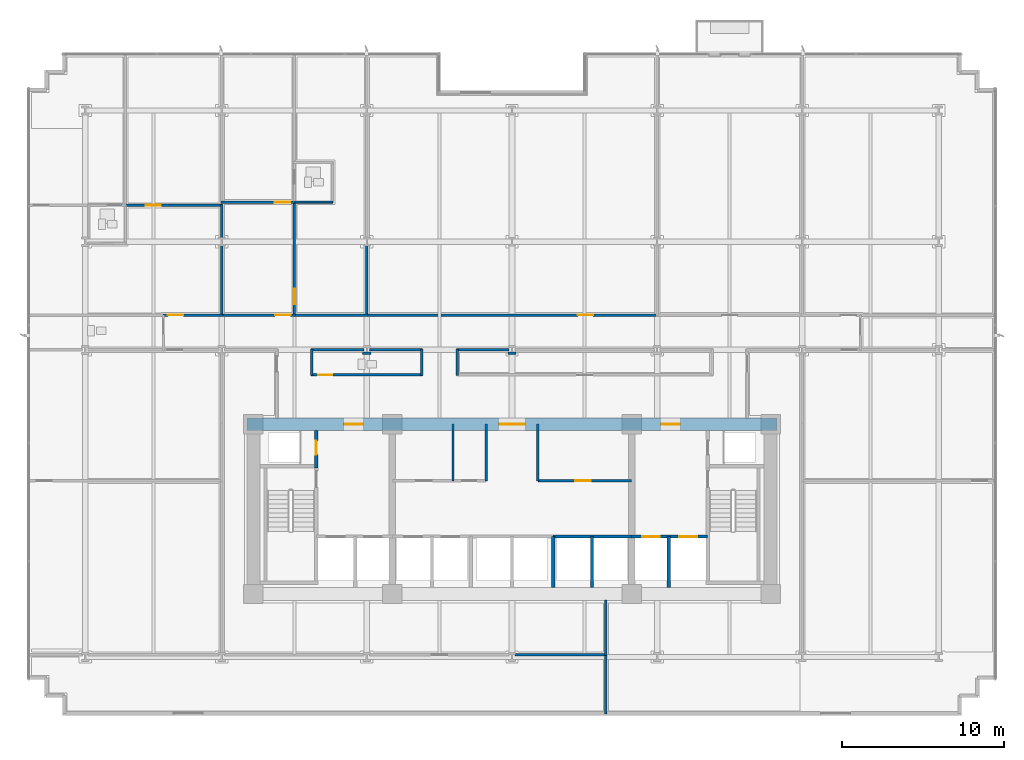
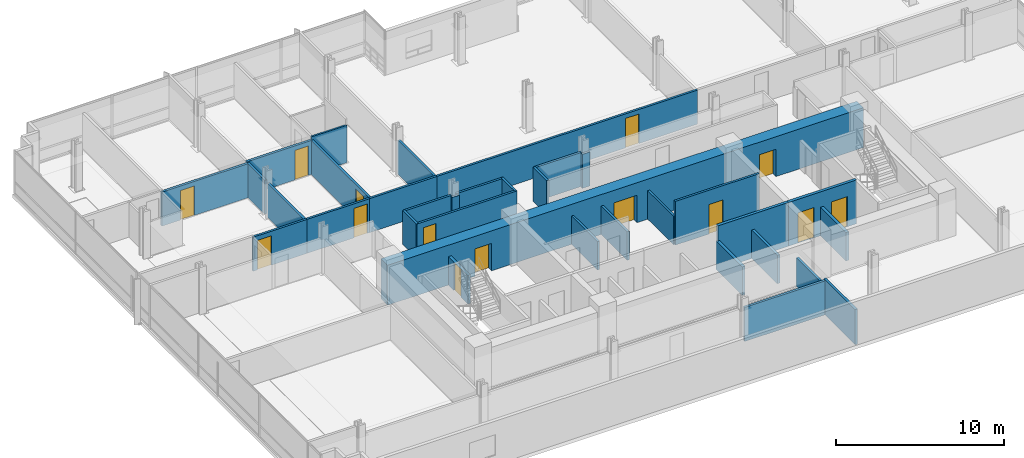
# One storey, part 13 of 21: 34 walls, 14 doors, 14 openings.
"""IFC4 building model written with IfcOpenShell, lengths in metres."""

from ifc_helpers import new_model, si_unit, direction, frame, frame_2d, origin, place, context, subcontext, project, spatial, rectangle, extrude, material, layer, layer_set, type_object, element, fill, save


model = new_model("IFC4")

# Units and contexts
model_context = context("Model", 3, precision=1e-05, world=origin(), true_north=direction((0.0, 1.0)))
body_context = subcontext(model_context, "Body", "Model", "MODEL_VIEW")
ifc_project = project(units=[si_unit("LENGTHUNIT", "METRE"), si_unit("AREAUNIT", "SQUARE_METRE"), si_unit("VOLUMEUNIT", "CUBIC_METRE"), si_unit("PLANEANGLEUNIT", "RADIAN"), si_unit("MASSUNIT", "GRAM", prefix="KILO")], contexts=[model_context])

# Site, building, storey
site_placement = place(None, origin())
site = spatial("IfcSite", under=ifc_project, at=site_placement, CompositionType="ELEMENT")
building_placement = place(site_placement, origin())
building = spatial("IfcBuilding", under=site, at=building_placement, Name="Solmavex Isthmus Hotel", CompositionType="ELEMENT")
storey_placement = place(building_placement, frame((0.0, 0.0, 60.89990234375)))
storey = spatial("IfcBuildingStorey", under=building, at=storey_placement, Name="L16", CompositionType="ELEMENT", Elevation=60.89990234375)

# Wall, opening, door
ifc_material_1 = material(Name="Gypsum plasterboard lining", Category="gypsum")
ifc_layer_1 = layer(ifc_material_1, 0.159912109375)
ifc_layer_set_1 = layer_set([ifc_layer_1], Name="Gypsum plasterboard lining")
wall_type_1 = type_object("IfcWallType", Name="IW-COMP-160", PredefinedType="PARTITIONING", material=ifc_layer_set_1)
wall_1_placement = place(storey_placement, frame((-23.9560546875, 11.0380859375, 0.0), z_axis=(0.0, 0.0, 1.0), x_axis=(1.0, 0.0, 0.0)))
wall_1 = element("IfcWall", 1, at=wall_1_placement, inside=storey, type_object=wall_type_1, Name="Interior Partition Wall W-L16-P030", PredefinedType="PARTITIONING", context=body_context, shape_type="SweptSolid", body=[
    extrude(rectangle(XDim=6.0439453125, YDim=0.159912109375, at=frame_2d((3.02197265625, 0.0))), origin(), (0.0, 0.0, 1.0), 2.4794921875),
])
opening_1_placement = place(wall_1_placement, frame((1.294677734375, 0.0, 0.0)))
opening_1 = element("IfcOpeningElement", 2, at=opening_1_placement, cuts=wall_1, Name="Opening ID-C095", PredefinedType="OPENING", context=body_context, shape_type="SweptSolid", body=[
    extrude(rectangle(XDim=0.949951171875, YDim=2.14990234375, at=frame_2d((0.47509765625, 1.074951171875))), frame((0.0, 0.08984375, 0.0), z_axis=(0.0, -1.0, 0.0), x_axis=(1.0, 0.0, 0.0)), (0.0, 0.0, 1.0), 0.179931640625),
])
ifc_material_2 = material(Name="Hardwood timber", Category="wood")
door_type_1 = type_object("IfcDoorType", Name="IDR-FD60-0950", OperationType="NOTDEFINED", PredefinedType="DOOR", material=ifc_material_2)
door_1_placement = place(opening_1_placement, origin())
door_1 = element("IfcDoor", 3, at=door_1_placement, inside=storey, type_object=door_type_1, Name="Ambassador Panorama Suite Panorama Sitting Study Door L16-03", OperationType="SINGLE_SWING_LEFT", OverallHeight=2.14990234375, OverallWidth=0.949951171875, PredefinedType="DOOR", context=body_context, shape_type="SweptSolid", body=[
    extrude(rectangle(XDim=0.949951171875, YDim=2.14990234375, at=frame_2d((0.47509765625, 1.074951171875))), frame((0.0, 0.02490234375, 0.0), z_axis=(0.0, -1.0, 0.0), x_axis=(1.0, 0.0, 0.0)), (0.0, 0.0, 1.0), 0.050048828125),
])
fill(opening_1, door_1)

# Walls
wall_2_placement = place(storey_placement, frame((-17.951904296875, 8.613037109375, 0.0), z_axis=(0.0, 0.0, 1.0), x_axis=(0.0, -1.0, 0.0)))
element("IfcWall", 4, at=wall_2_placement, inside=storey, type_object=wall_type_1, Name="Interior Partition Wall W-L16-P034", PredefinedType="PARTITIONING", context=body_context, shape_type="SweptSolid", body=[
    extrude(rectangle(XDim=4.403076171875, YDim=0.159912109375, at=frame_2d((2.20166015625, 0.0))), origin(), (0.0, 0.0, 1.0), 2.4794921875),
])
wall_3_placement = place(storey_placement, frame((-17.951904296875, 11.077880859375, 0.0), z_axis=(0.0, 0.0, 1.0), x_axis=(0.0, -1.0, 0.0)))
element("IfcWall", 5, at=wall_3_placement, inside=storey, type_object=wall_type_1, Name="Interior Partition Wall W-L16-P035", PredefinedType="PARTITIONING", context=body_context, shape_type="SweptSolid", body=[
    extrude(rectangle(XDim=2.114990234375, YDim=0.159912109375, at=frame_2d((1.0576171875, 0.0))), origin(), (0.0, 0.0, 1.0), 2.4794921875),
])

# Wall, opening, door
wall_4_placement = place(storey_placement, frame((-17.991943359375, 11.238037109375, 0.0), z_axis=(0.0, 0.0, 1.0), x_axis=(1.0, 0.0, 0.0)))
wall_4 = element("IfcWall", 6, at=wall_4_placement, inside=storey, type_object=wall_type_1, Name="Interior Partition Wall W-L16-P041", PredefinedType="PARTITIONING", context=body_context, shape_type="SweptSolid", body=[
    extrude(rectangle(XDim=4.56787109375, YDim=0.159912109375, at=frame_2d((2.283935546875, 0.0))), origin(), (0.0, 0.0, 1.0), 2.4794921875),
])
opening_2_placement = place(wall_4_placement, frame((3.31689453125, 0.0, 0.0)))
opening_2 = element("IfcOpeningElement", 7, at=opening_2_placement, cuts=wall_4, Name="Opening ID-C095", PredefinedType="OPENING", context=body_context, shape_type="SweptSolid", body=[
    extrude(rectangle(XDim=0.949951171875, YDim=2.14990234375, at=frame_2d((0.47509765625, 1.074951171875))), frame((0.0, 0.08984375, 0.0), z_axis=(0.0, -1.0, 0.0), x_axis=(1.0, 0.0, 0.0)), (0.0, 0.0, 1.0), 0.179931640625),
])
door_2_placement = place(opening_2_placement, origin())
door_2 = element("IfcDoor", 8, at=door_2_placement, inside=storey, type_object=door_type_1, Name="Premier Hospitality Suite Master Bedroom Door L16-06", OperationType="SINGLE_SWING_RIGHT", OverallHeight=2.14990234375, OverallWidth=0.949951171875, PredefinedType="DOOR", context=body_context, shape_type="SweptSolid", body=[
    extrude(rectangle(XDim=0.949951171875, YDim=2.14990234375, at=frame_2d((0.47509765625, 1.074951171875))), frame((0.0, 0.02490234375, 0.0), z_axis=(0.0, -1.0, 0.0), x_axis=(1.0, 0.0, 0.0)), (0.0, 0.0, 1.0), 0.050048828125),
])
fill(opening_2, door_2)

wall_5_placement = place(storey_placement, frame((-13.464111328125, 11.278076171875, 0.0), z_axis=(0.0, 0.0, 1.0), x_axis=(0.0, -1.0, 0.0)))
wall_5 = element("IfcWall", 9, at=wall_5_placement, inside=storey, type_object=wall_type_1, Name="Interior Partition Wall W-L16-P042", PredefinedType="PARTITIONING", context=body_context, shape_type="SweptSolid", body=[
    extrude(rectangle(XDim=7.068115234375, YDim=0.159912109375, at=frame_2d((3.5341796875, 0.0))), origin(), (0.0, 0.0, 1.0), 2.4794921875),
])
opening_3_placement = place(wall_5_placement, frame((5.406982421875, 0.0, 0.0)))
opening_3 = element("IfcOpeningElement", 10, at=opening_3_placement, cuts=wall_5, Name="Opening ID-C095", PredefinedType="OPENING", context=body_context, shape_type="SweptSolid", body=[
    extrude(rectangle(XDim=0.949951171875, YDim=2.14990234375, at=frame_2d((0.47509765625, 1.074951171875))), frame((0.0, 0.08984375, 0.0), z_axis=(0.0, -1.0, 0.0), x_axis=(1.0, 0.0, 0.0)), (0.0, 0.0, 1.0), 0.179931640625),
])
door_3_placement = place(opening_3_placement, frame((0.949951171875, 0.0, 0.0), z_axis=(0.0, 0.0, 1.0), x_axis=(-1.0, 0.0, 0.0)))
door_3 = element("IfcDoor", 11, at=door_3_placement, inside=storey, type_object=door_type_1, Name="Premier Hospitality Suite Living Lounge Door L16-07", OperationType="SINGLE_SWING_LEFT", OverallHeight=2.14990234375, OverallWidth=0.949951171875, PredefinedType="DOOR", context=body_context, shape_type="SweptSolid", body=[
    extrude(rectangle(XDim=0.949951171875, YDim=2.14990234375, at=frame_2d((0.47509765625, 1.074951171875))), frame((0.0, 0.02490234375, 0.0), z_axis=(0.0, -1.0, 0.0), x_axis=(1.0, 0.0, 0.0)), (0.0, 0.0, 1.0), 0.050048828125),
])
fill(opening_3, door_3)

# Walls
wall_6_placement = place(storey_placement, frame((-8.97607421875, 8.613037109375, 0.0), z_axis=(0.0, 0.0, 1.0), x_axis=(0.0, -1.0, 0.0)))
element("IfcWall", 12, at=wall_6_placement, inside=storey, type_object=wall_type_1, Name="Interior Partition Wall W-L16-P048", PredefinedType="PARTITIONING", context=body_context, shape_type="SweptSolid", body=[
    extrude(rectangle(XDim=4.403076171875, YDim=0.159912109375, at=frame_2d((2.20166015625, 0.0))), origin(), (0.0, 0.0, 1.0), 2.4794921875),
])
wall_7_placement = place(storey_placement, frame((5.800048828125, -13.360107421875, 0.0), z_axis=(0.0, 0.0, 1.0), x_axis=(0.0, -1.0, 0.0)))
element("IfcWall", 13, at=wall_7_placement, inside=storey, type_object=wall_type_1, Name="Interior Partition Wall W-L16-P068", PredefinedType="PARTITIONING", context=body_context, shape_type="SweptSolid", body=[
    extrude(rectangle(XDim=3.429931640625, YDim=0.159912109375, at=frame_2d((1.71484375, 0.0))), origin(), (0.0, 0.0, 1.0), 2.0751953125),
])
wall_8_placement = place(storey_placement, frame((5.840087890625, -16.75, 0.0), z_axis=(0.0, 0.0, 1.0), x_axis=(-1.0, 0.0, 0.0)))
element("IfcWall", 14, at=wall_8_placement, inside=storey, type_object=wall_type_1, Name="Interior Partition Wall W-L16-P071", PredefinedType="PARTITIONING", context=body_context, shape_type="SweptSolid", body=[
    extrude(rectangle(XDim=5.6650390625, YDim=0.159912109375, at=frame_2d((2.83251953125, 0.0))), origin(), (0.0, 0.0, 1.0), 2.4794921875),
])
wall_9_placement = place(storey_placement, frame((5.800048828125, -20.419921875, 0.0), z_axis=(0.0, 0.0, 1.0), x_axis=(0.0, 1.0, 0.0)))
element("IfcWall", 15, at=wall_9_placement, inside=storey, type_object=wall_type_1, Name="Interior Partition Wall W-L16-P073", PredefinedType="PARTITIONING", context=body_context, shape_type="SweptSolid", body=[
    extrude(rectangle(XDim=3.751953125, YDim=0.159912109375, at=frame_2d((1.8759765625, 0.0))), origin(), (0.0, 0.0, 1.0), 2.55322265625),
])
ifc_layer_2 = layer(ifc_material_1, 0.14990234375)
ifc_layer_set_2 = layer_set([ifc_layer_2], Name="Gypsum plasterboard lining")
wall_type_2 = type_object("IfcWallType", Name="IW-CORR-150", PredefinedType="PARTITIONING", material=ifc_layer_set_2)
wall_10_placement = place(storey_placement, frame((-1.60009765625, -6.0, 0.0), z_axis=(0.0, 0.0, 1.0), x_axis=(0.0, 1.0, 0.0)))
element("IfcWall", 16, at=wall_10_placement, inside=storey, type_object=wall_type_2, Name="Interior Partition Wall W-L16-BOH-WE", PredefinedType="PARTITIONING", context=body_context, shape_type="SweptSolid", body=[
    extrude(rectangle(XDim=3.5, YDim=0.14990234375, at=frame_2d((1.75, 0.0))), origin(), (0.0, 0.0, 1.0), 2.0751953125),
])

# Wall, opening, door
wall_11_placement = place(storey_placement, frame((1.60009765625, -6.0, 0.0), z_axis=(0.0, 0.0, 1.0), x_axis=(1.0, 0.0, 0.0)))
wall_11 = element("IfcWall", 17, at=wall_11_placement, inside=storey, type_object=wall_type_2, Name="Interior Partition Wall W-L16-BOH-ES", PredefinedType="PARTITIONING", context=body_context, shape_type="SweptSolid", body=[
    extrude(rectangle(XDim=5.7998046875, YDim=0.14990234375, at=frame_2d((2.89990234375, 0.0))), origin(), (0.0, 0.0, 1.0), 3.190185546875),
])
opening_4_placement = place(wall_11_placement, frame((2.324951171875, 0.0, 0.0)))
opening_4 = element("IfcOpeningElement", 18, at=opening_4_placement, cuts=wall_11, Name="Opening ID-C095", PredefinedType="OPENING", context=body_context, shape_type="SweptSolid", body=[
    extrude(rectangle(XDim=0.949951171875, YDim=2.14990234375, at=frame_2d((0.47509765625, 1.074951171875))), frame((0.0, 0.0849609375, 0.0), z_axis=(0.0, -1.0, 0.0), x_axis=(1.0, 0.0, 0.0)), (0.0, 0.0, 1.0), 0.169921875),
])
door_4_placement = place(opening_4_placement, frame((0.949951171875, 0.0, 0.0), z_axis=(0.0, 0.0, 1.0), x_axis=(-1.0, 0.0, 0.0)))
door_4 = element("IfcDoor", 19, at=door_4_placement, inside=storey, type_object=door_type_1, Name="Butler Pantry Door L16", OperationType="SINGLE_SWING_RIGHT", OverallHeight=2.14990234375, OverallWidth=0.949951171875, PredefinedType="DOOR", context=body_context, shape_type="SweptSolid", body=[
    extrude(rectangle(XDim=0.949951171875, YDim=2.14990234375, at=frame_2d((0.47509765625, 1.074951171875))), frame((0.0, 0.02490234375, 0.0), z_axis=(0.0, -1.0, 0.0), x_axis=(1.0, 0.0, 0.0)), (0.0, 0.0, 1.0), 0.050048828125),
])
fill(opening_4, door_4)

# Wall
wall_12_placement = place(storey_placement, frame((1.60009765625, -6.0, 0.0), z_axis=(0.0, 0.0, 1.0), x_axis=(0.0, 1.0, 0.0)))
element("IfcWall", 20, at=wall_12_placement, inside=storey, type_object=wall_type_2, Name="Interior Partition Wall W-L16-BOH-EW", PredefinedType="PARTITIONING", context=body_context, shape_type="SweptSolid", body=[
    extrude(rectangle(XDim=3.5, YDim=0.14990234375, at=frame_2d((1.75, 0.0))), origin(), (0.0, 0.0, 1.0), 2.0751953125),
])

# Wall, opening, door
wall_13_placement = place(storey_placement, frame((-21.592041015625, 4.25, 0.0), z_axis=(0.0, 0.0, 1.0), x_axis=(1.0, 0.0, 0.0)))
wall_13 = element("IfcWall", 21, at=wall_13_placement, inside=storey, type_object=wall_type_2, Name="Interior Partition Wall W-L16-P001", PredefinedType="PARTITIONING", context=body_context, shape_type="SweptSolid", body=[
    extrude(rectangle(XDim=3.721923828125, YDim=0.14990234375, at=frame_2d((1.86083984375, 0.0))), origin(), (0.0, 0.0, 1.0), 2.4794921875),
])
opening_5_placement = place(wall_13_placement, frame((0.315185546875, 0.0, 0.0)))
opening_5 = element("IfcOpeningElement", 22, at=opening_5_placement, cuts=wall_13, Name="Opening ID-C095", PredefinedType="OPENING", context=body_context, shape_type="SweptSolid", body=[
    extrude(rectangle(XDim=0.949951171875, YDim=2.14990234375, at=frame_2d((0.47509765625, 1.074951171875))), frame((0.0, 0.0849609375, 0.0), z_axis=(0.0, -1.0, 0.0), x_axis=(1.0, 0.0, 0.0)), (0.0, 0.0, 1.0), 0.169921875),
])
door_5_placement = place(opening_5_placement, origin())
door_5 = element("IfcDoor", 23, at=door_5_placement, inside=storey, type_object=door_type_1, Name="Ambassador Panorama Suite Living Salon Door L16-01", OperationType="SINGLE_SWING_LEFT", OverallHeight=2.14990234375, OverallWidth=0.949951171875, PredefinedType="DOOR", context=body_context, shape_type="SweptSolid", body=[
    extrude(rectangle(XDim=0.949951171875, YDim=2.14990234375, at=frame_2d((0.47509765625, 1.074951171875))), frame((0.0, 0.02490234375, 0.0), z_axis=(0.0, -1.0, 0.0), x_axis=(1.0, 0.0, 0.0)), (0.0, 0.0, 1.0), 0.050048828125),
])
fill(opening_5, door_5)

wall_14_placement = place(storey_placement, frame((-18.033935546875, 4.25, 0.0), z_axis=(0.0, 0.0, 1.0), x_axis=(1.0, 0.0, 0.0)))
wall_14 = element("IfcWall", 24, at=wall_14_placement, inside=storey, type_object=wall_type_2, Name="Interior Partition Wall W-L16-P002", PredefinedType="PARTITIONING", context=body_context, shape_type="SweptSolid", body=[
    extrude(rectangle(XDim=4.65185546875, YDim=0.14990234375, at=frame_2d((2.325927734375, 0.0))), origin(), (0.0, 0.0, 1.0), 2.4794921875),
])
opening_6_placement = place(wall_14_placement, frame((3.38720703125, 0.0, 0.0)))
opening_6 = element("IfcOpeningElement", 25, at=opening_6_placement, cuts=wall_14, Name="Opening ID-C095", PredefinedType="OPENING", context=body_context, shape_type="SweptSolid", body=[
    extrude(rectangle(XDim=0.949951171875, YDim=2.14990234375, at=frame_2d((0.47509765625, 1.074951171875))), frame((0.0, 0.0849609375, 0.0), z_axis=(0.0, -1.0, 0.0), x_axis=(1.0, 0.0, 0.0)), (0.0, 0.0, 1.0), 0.169921875),
])
door_6_placement = place(opening_6_placement, origin())
door_6 = element("IfcDoor", 26, at=door_6_placement, inside=storey, type_object=door_type_1, Name="Premier Hospitality Suite Entrance Hall Door L16-05", OperationType="SINGLE_SWING_LEFT", OverallHeight=2.14990234375, OverallWidth=0.949951171875, PredefinedType="DOOR", context=body_context, shape_type="SweptSolid", body=[
    extrude(rectangle(XDim=0.949951171875, YDim=2.14990234375, at=frame_2d((0.47509765625, 1.074951171875))), frame((0.0, 0.02490234375, 0.0), z_axis=(0.0, -1.0, 0.0), x_axis=(1.0, 0.0, 0.0)), (0.0, 0.0, 1.0), 0.050048828125),
])
fill(opening_6, door_6)

# Wall
wall_15_placement = place(storey_placement, frame((-13.5458984375, 4.25, 0.0), z_axis=(0.0, 0.0, 1.0), x_axis=(1.0, 0.0, 0.0)))
element("IfcWall", 27, at=wall_15_placement, inside=storey, type_object=wall_type_2, Name="Interior Partition Wall W-L16-P003", PredefinedType="PARTITIONING", context=body_context, shape_type="SweptSolid", body=[
    extrude(rectangle(XDim=4.65185546875, YDim=0.14990234375, at=frame_2d((2.325927734375, 0.0))), origin(), (0.0, 0.0, 1.0), 2.4794921875),
])

# Wall, opening, door
wall_16_placement = place(storey_placement, frame((-9.05810546875, 4.25, 0.0), z_axis=(0.0, 0.0, 1.0), x_axis=(1.0, 0.0, 0.0)))
wall_16 = element("IfcWall", 28, at=wall_16_placement, inside=storey, type_object=wall_type_2, Name="Interior Partition Wall W-L16-P004", PredefinedType="PARTITIONING", context=body_context, shape_type="SweptSolid", body=[
    extrude(rectangle(XDim=18.1162109375, YDim=0.14990234375, at=frame_2d((9.05810546875, 0.0))), origin(), (0.0, 0.0, 1.0), 2.4794921875),
])
opening_7_placement = place(wall_16_placement, frame((13.128173828125, 0.0, 0.0)))
opening_7 = element("IfcOpeningElement", 29, at=opening_7_placement, cuts=wall_16, Name="Opening ID-C095", PredefinedType="OPENING", context=body_context, shape_type="SweptSolid", body=[
    extrude(rectangle(XDim=0.949951171875, YDim=2.14990234375, at=frame_2d((0.47509765625, 1.074951171875))), frame((0.0, 0.0849609375, 0.0), z_axis=(0.0, -1.0, 0.0), x_axis=(1.0, 0.0, 0.0)), (0.0, 0.0, 1.0), 0.169921875),
])
door_7_placement = place(opening_7_placement, origin())
door_7 = element("IfcDoor", 30, at=door_7_placement, inside=storey, type_object=door_type_1, Name="Corporate Briefing Office Door L16-09", OperationType="SINGLE_SWING_LEFT", OverallHeight=2.14990234375, OverallWidth=0.949951171875, PredefinedType="DOOR", context=body_context, shape_type="SweptSolid", body=[
    extrude(rectangle(XDim=0.949951171875, YDim=2.14990234375, at=frame_2d((0.47509765625, 1.074951171875))), frame((0.0, 0.02490234375, 0.0), z_axis=(0.0, -1.0, 0.0), x_axis=(1.0, 0.0, 0.0)), (0.0, 0.0, 1.0), 0.050048828125),
])
fill(opening_7, door_7)

wall_17_placement = place(storey_placement, frame((-12.424072265625, 0.550048828125, 0.0), z_axis=(0.0, 0.0, 1.0), x_axis=(1.0, 0.0, 0.0)))
wall_17 = element("IfcWall", 31, at=wall_17_placement, inside=storey, type_object=wall_type_2, Name="Interior Partition Wall W-L16-P007", PredefinedType="PARTITIONING", context=body_context, shape_type="SweptSolid", body=[
    extrude(rectangle(XDim=6.8759765625, YDim=0.14990234375, at=frame_2d((3.43798828125, 0.0))), origin(), (0.0, 0.0, 1.0), 2.4794921875),
])
opening_8_placement = place(wall_17_placement, frame((0.444091796875, 0.0, 0.0)))
opening_8 = element("IfcOpeningElement", 32, at=opening_8_placement, cuts=wall_17, Name="Opening ID-R085", PredefinedType="OPENING", context=body_context, shape_type="SweptSolid", body=[
    extrude(rectangle(XDim=0.85009765625, YDim=2.050048828125, at=frame_2d((0.425048828125, 1.02490234375))), frame((0.0, 0.0849609375, 0.0), z_axis=(0.0, -1.0, 0.0), x_axis=(1.0, 0.0, 0.0)), (0.0, 0.0, 1.0), 0.169921875),
])
ifc_material_3 = material(Name="Steel ASTM A500 Grade C", Category="steel")
door_type_2 = type_object("IfcDoorType", Name="IDR-FD60-0850", OperationType="NOTDEFINED", PredefinedType="DOOR", material=ifc_material_3)
door_8_placement = place(opening_8_placement, frame((0.85009765625, 0.0, 0.0), z_axis=(0.0, 0.0, 1.0), x_axis=(-1.0, 0.0, 0.0)))
door_8 = element("IfcDoor", 33, at=door_8_placement, inside=storey, type_object=door_type_2, Name="Accessible Public Restroom WC Door L16-12", OperationType="SINGLE_SWING_RIGHT", OverallHeight=2.050048828125, OverallWidth=0.85009765625, PredefinedType="DOOR", context=body_context, shape_type="SweptSolid", body=[
    extrude(rectangle(XDim=0.85009765625, YDim=2.050048828125, at=frame_2d((0.425048828125, 1.02490234375))), frame((0.0, 0.02490234375, 0.0), z_axis=(0.0, -1.0, 0.0), x_axis=(1.0, 0.0, 0.0)), (0.0, 0.0, 1.0), 0.050048828125),
])
fill(opening_8, door_8)

# Walls
wall_18_placement = place(storey_placement, frame((-5.587890625, 0.510009765625, 0.0), z_axis=(0.0, 0.0, 1.0), x_axis=(0.0, 1.0, 0.0)))
element("IfcWall", 34, at=wall_18_placement, inside=storey, type_object=wall_type_2, Name="Interior Partition Wall W-L16-P008", PredefinedType="PARTITIONING", context=body_context, shape_type="SweptSolid", body=[
    extrude(rectangle(XDim=1.6298828125, YDim=0.14990234375, at=frame_2d((0.81494140625, 0.0))), origin(), (0.0, 0.0, 1.0), 2.4794921875),
])
wall_19_placement = place(storey_placement, frame((-5.548095703125, 2.10009765625, 0.0), z_axis=(0.0, 0.0, 1.0), x_axis=(-1.0, 0.0, 0.0)))
element("IfcWall", 35, at=wall_19_placement, inside=storey, type_object=wall_type_2, Name="Interior Partition Wall W-L16-P009", PredefinedType="PARTITIONING", context=body_context, shape_type="SweptSolid", body=[
    extrude(rectangle(XDim=3.2529296875, YDim=0.14990234375, at=frame_2d((1.62646484375, 0.0))), origin(), (0.0, 0.0, 1.0), 2.4794921875),
])
wall_20_placement = place(storey_placement, frame((-8.720947265625, 1.885009765625, 0.0), z_axis=(0.0, 0.0, 1.0), x_axis=(-1.0, 0.0, 0.0)))
element("IfcWall", 36, at=wall_20_placement, inside=storey, type_object=wall_type_2, Name="Interior Partition Wall W-L16-P010", PredefinedType="PARTITIONING", context=body_context, shape_type="SweptSolid", body=[
    extrude(rectangle(XDim=0.510009765625, YDim=0.14990234375, at=frame_2d((0.2548828125, 0.0))), origin(), (0.0, 0.0, 1.0), 2.4794921875),
])
wall_21_placement = place(storey_placement, frame((-9.15087890625, 2.10009765625, 0.0), z_axis=(0.0, 0.0, 1.0), x_axis=(-1.0, 0.0, 0.0)))
element("IfcWall", 37, at=wall_21_placement, inside=storey, type_object=wall_type_2, Name="Interior Partition Wall W-L16-P011", PredefinedType="PARTITIONING", context=body_context, shape_type="SweptSolid", body=[
    extrude(rectangle(XDim=3.273193359375, YDim=0.14990234375, at=frame_2d((1.63671875, 0.0))), origin(), (0.0, 0.0, 1.0), 2.4794921875),
])
wall_22_placement = place(storey_placement, frame((-12.384033203125, 2.139892578125, 0.0), z_axis=(0.0, 0.0, 1.0), x_axis=(0.0, -1.0, 0.0)))
element("IfcWall", 38, at=wall_22_placement, inside=storey, type_object=wall_type_2, Name="Interior Partition Wall W-L16-P012", PredefinedType="PARTITIONING", context=body_context, shape_type="SweptSolid", body=[
    extrude(rectangle(XDim=1.6298828125, YDim=0.14990234375, at=frame_2d((0.81494140625, 0.0))), origin(), (0.0, 0.0, 1.0), 2.4794921875),
])
wall_23_placement = place(storey_placement, frame((-0.175048828125, 2.10009765625, 0.0), z_axis=(0.0, 0.0, 1.0), x_axis=(-1.0, 0.0, 0.0)))
element("IfcWall", 39, at=wall_23_placement, inside=storey, type_object=wall_type_2, Name="Interior Partition Wall W-L16-P015", PredefinedType="PARTITIONING", context=body_context, shape_type="SweptSolid", body=[
    extrude(rectangle(XDim=3.2529296875, YDim=0.14990234375, at=frame_2d((1.62646484375, 0.0))), origin(), (0.0, 0.0, 1.0), 2.4794921875),
])
wall_24_placement = place(storey_placement, frame((-3.387939453125, 2.139892578125, 0.0), z_axis=(0.0, 0.0, 1.0), x_axis=(0.0, -1.0, 0.0)))
element("IfcWall", 40, at=wall_24_placement, inside=storey, type_object=wall_type_2, Name="Interior Partition Wall W-L16-P016", PredefinedType="PARTITIONING", context=body_context, shape_type="SweptSolid", body=[
    extrude(rectangle(XDim=1.6298828125, YDim=0.14990234375, at=frame_2d((0.81494140625, 0.0))), origin(), (0.0, 0.0, 1.0), 2.4794921875),
])
wall_25_placement = place(storey_placement, frame((0.2548828125, 1.885009765625, 0.0), z_axis=(0.0, 0.0, 1.0), x_axis=(-1.0, 0.0, 0.0)))
element("IfcWall", 41, at=wall_25_placement, inside=storey, type_object=wall_type_2, Name="Interior Partition Wall W-L16-P022", PredefinedType="PARTITIONING", context=body_context, shape_type="SweptSolid", body=[
    extrude(rectangle(XDim=0.509765625, YDim=0.14990234375, at=frame_2d((0.2548828125, 0.0))), origin(), (0.0, 0.0, 1.0), 2.4794921875),
])
ifc_layer_3 = layer(ifc_material_1, 0.1201171875)
ifc_layer_set_3 = layer_set([ifc_layer_3], Name="Gypsum plasterboard lining")
wall_type_3 = type_object("IfcWallType", Name="IW-PART-120", PredefinedType="PARTITIONING", material=ifc_layer_set_3)
wall_26_placement = place(storey_placement, frame((-3.64990234375, -6.0, 0.0), z_axis=(0.0, 0.0, 1.0), x_axis=(0.0, 1.0, 0.0)))
element("IfcWall", 42, at=wall_26_placement, inside=storey, type_object=wall_type_3, Name="Interior Partition Wall W-L16-BOH-WM1", PredefinedType="PARTITIONING", context=body_context, shape_type="SweptSolid", body=[
    extrude(rectangle(XDim=3.5, YDim=0.14990234375, at=frame_2d((1.75, 0.0))), origin(), (0.0, 0.0, 1.0), 2.0751953125),
])
wall_27_placement = place(storey_placement, frame((-13.50390625, 11.238037109375, 0.0), z_axis=(0.0, 0.0, 1.0), x_axis=(1.0, 0.0, 0.0)))
element("IfcWall", 43, at=wall_27_placement, inside=storey, type_object=wall_type_3, Name="Interior Partition Wall W-L16-P045", PredefinedType="PARTITIONING", context=body_context, shape_type="SweptSolid", body=[
    extrude(rectangle(XDim=2.429931640625, YDim=0.1201171875, at=frame_2d((1.21484375, 0.0))), origin(), (0.0, 0.0, 1.0), 2.71826171875),
])
ifc_material_4 = material(Name="Concrete C40/50", Category="concrete")
ifc_layer_4 = layer(ifc_material_4, 0.179931640625)
ifc_layer_set_4 = layer_set([ifc_layer_4], Name="Concrete C40/50")
wall_type_4 = type_object("IfcWallType", Name="IW-SHAFT-180", PredefinedType="PARTITIONING", material=ifc_layer_set_4)
wall_28_placement = place(storey_placement, frame((4.949951171875, -12.60009765625, 0.0), z_axis=(0.0, 0.0, 1.0), x_axis=(0.0, 1.0, 0.0)))
element("IfcWall", 44, at=wall_28_placement, inside=storey, type_object=wall_type_4, Name="Interior Partition Wall W-L16-SH-PLH-M", PredefinedType="PARTITIONING", context=body_context, shape_type="SweptSolid", body=[
    extrude(rectangle(XDim=3.150146484375, YDim=0.179931640625, at=frame_2d((1.5751953125, 0.0))), origin(), (0.0, 0.0, 1.0), 2.0751953125),
])

# Wall, opening, door
ifc_layer_5 = layer(ifc_material_4, 0.199951171875)
ifc_layer_set_5 = layer_set([ifc_layer_5], Name="Concrete C40/50")
wall_type_5 = type_object("IfcWallType", Name="IW-SHAFT-200", PredefinedType="PARTITIONING", material=ifc_layer_set_5)
wall_29_placement = place(storey_placement, frame((-12.10009765625, -5.199951171875, 0.0), z_axis=(0.0, 0.0, 1.0), x_axis=(0.0, 1.0, 0.0)))
wall_29 = element("IfcWall", 45, at=wall_29_placement, inside=storey, type_object=wall_type_5, Name="Interior Partition Wall W-L16-RSW-E", PredefinedType="PARTITIONING", context=body_context, shape_type="SweptSolid", body=[
    extrude(rectangle(XDim=2.300048828125, YDim=0.199951171875, at=frame_2d((1.14990234375, 0.0))), origin(), (0.0, 0.0, 1.0), 2.0751953125),
])
opening_9_placement = place(wall_29_placement, frame((0.824951171875, 0.0, 0.0)))
opening_9 = element("IfcOpeningElement", 46, at=opening_9_placement, cuts=wall_29, Name="Opening ID-R085", PredefinedType="OPENING", context=body_context, shape_type="SweptSolid", body=[
    extrude(rectangle(XDim=0.85009765625, YDim=2.050048828125, at=frame_2d((0.425048828125, 1.02490234375))), frame((0.0, 0.10986328125, 0.0), z_axis=(0.0, -1.0, 0.0), x_axis=(1.0, 0.0, 0.0)), (0.0, 0.0, 1.0), 0.219970703125),
])
door_9_placement = place(opening_9_placement, origin())
door_9 = element("IfcDoor", 47, at=door_9_placement, inside=storey, type_object=door_type_2, Name="Electrical Riser Door L16", OperationType="SINGLE_SWING_RIGHT", OverallHeight=2.050048828125, OverallWidth=0.85009765625, PredefinedType="DOOR", context=body_context, shape_type="SweptSolid", body=[
    extrude(rectangle(XDim=0.85009765625, YDim=2.050048828125, at=frame_2d((0.425048828125, 1.02490234375))), frame((0.0, 0.02490234375, 0.0), z_axis=(0.0, -1.0, 0.0), x_axis=(1.0, 0.0, 0.0)), (0.0, 0.0, 1.0), 0.050048828125),
])
fill(opening_9, door_9)

# Wall, openings, doors
wall_30_placement = place(storey_placement, frame((7.39990234375, -9.449951171875, 0.0), z_axis=(0.0, 0.0, 1.0), x_axis=(1.0, 0.0, 0.0)))
wall_30 = element("IfcWall", 48, at=wall_30_placement, inside=storey, type_object=wall_type_5, Name="Interior Partition Wall W-L16-FFLE-S", PredefinedType="PARTITIONING", context=body_context, shape_type="SweptSolid", body=[
    extrude(rectangle(XDim=4.7001953125, YDim=0.199951171875, at=frame_2d((2.35009765625, 0.0))), origin(), (0.0, 0.0, 1.0), 3.190185546875),
])
opening_10_placement = place(wall_30_placement, frame((2.949951171875, 0.0, 0.0)))
opening_10 = element("IfcOpeningElement", 49, at=opening_10_placement, cuts=wall_30, Name="Opening LD-FF", PredefinedType="OPENING", context=body_context, shape_type="SweptSolid", body=[
    extrude(rectangle(XDim=1.10009765625, YDim=2.199951171875, at=frame_2d((0.550048828125, 1.10009765625))), frame((0.0, 0.10986328125, 0.0), z_axis=(0.0, -1.0, 0.0), x_axis=(1.0, 0.0, 0.0)), (0.0, 0.0, 1.0), 0.219970703125),
])
opening_11_placement = place(wall_30_placement, frame((0.64990234375, 0.0, 0.0)))
opening_11 = element("IfcOpeningElement", 50, at=opening_11_placement, cuts=wall_30, Name="Opening LD-SV", PredefinedType="OPENING", context=body_context, shape_type="SweptSolid", body=[
    extrude(rectangle(XDim=1.10009765625, YDim=2.199951171875, at=frame_2d((0.550048828125, 1.10009765625))), frame((0.0, 0.10986328125, 0.0), z_axis=(0.0, -1.0, 0.0), x_axis=(1.0, 0.0, 0.0)), (0.0, 0.0, 1.0), 0.219970703125),
])
ifc_material_5 = material(Name="Stainless steel 316", Category="steel")
door_type_3 = type_object("IfcDoorType", Name="LDR-FF-1100", OperationType="NOTDEFINED", PredefinedType="DOOR", material=ifc_material_5)
door_10_placement = place(opening_10_placement, origin())
door_10 = element("IfcDoor", 51, at=door_10_placement, inside=storey, type_object=door_type_3, Name="Lift Landing Door FFL-2 L16", OperationType="SLIDING_TO_LEFT", OverallHeight=2.199951171875, OverallWidth=1.10009765625, PredefinedType="DOOR", context=body_context, shape_type="SweptSolid", body=[
    extrude(rectangle(XDim=1.10009765625, YDim=2.199951171875, at=frame_2d((0.550048828125, 1.10009765625))), frame((0.0, 0.02490234375, 0.0), z_axis=(0.0, -1.0, 0.0), x_axis=(1.0, 0.0, 0.0)), (0.0, 0.0, 1.0), 0.050048828125),
])
fill(opening_10, door_10)
door_type_4 = type_object("IfcDoorType", Name="LDR-SV-1100", OperationType="NOTDEFINED", PredefinedType="DOOR", material=ifc_material_5)
door_11_placement = place(opening_11_placement, origin())
door_11 = element("IfcDoor", 52, at=door_11_placement, inside=storey, type_object=door_type_4, Name="Lift Landing Door SVL-2 L16", OperationType="SLIDING_TO_RIGHT", OverallHeight=2.199951171875, OverallWidth=1.10009765625, PredefinedType="DOOR", context=body_context, shape_type="SweptSolid", body=[
    extrude(rectangle(XDim=1.10009765625, YDim=2.199951171875, at=frame_2d((0.550048828125, 1.10009765625))), frame((0.0, 0.02490234375, 0.0), z_axis=(0.0, -1.0, 0.0), x_axis=(1.0, 0.0, 0.0)), (0.0, 0.0, 1.0), 0.050048828125),
])
fill(opening_11, door_11)

# Walls
for number, where, z_axis, x_axis, name in (
    (53, (9.699951171875, -12.60009765625, 0.0), (0.0, 0.0, 1.0), (0.0, 1.0, 0.0), "Interior Partition Wall W-L16-FFLE-M"),
    (54, (2.550048828125, -12.60009765625, 0.0), (0.0, 0.0, 1.0), (0.0, 1.0, 0.0), "Interior Partition Wall W-L16-SH-PLM-E"),
):
    element("IfcWall", number, at=place(storey_placement, frame(where, z_axis=z_axis, x_axis=x_axis)), inside=storey, type_object=wall_type_5, Name=name, PredefinedType="PARTITIONING", context=body_context, shape_type="SweptSolid", body=[
        extrude(rectangle(XDim=3.150146484375, YDim=0.199951171875, at=frame_2d((1.5751953125, 0.0))), origin(), (0.0, 0.0, 1.0), 2.0751953125),
    ])
wall_31_placement = place(storey_placement, frame((2.550048828125, -9.449951171875, 0.0), z_axis=(0.0, 0.0, 1.0), x_axis=(1.0, 0.0, 0.0)))
element("IfcWall", 55, at=wall_31_placement, inside=storey, type_object=wall_type_5, Name="Interior Partition Wall W-L16-SH-PLH", PredefinedType="PARTITIONING", context=body_context, shape_type="SweptSolid", body=[
    extrude(rectangle(XDim=4.849853515625, YDim=0.199951171875, at=frame_2d((2.4248046875, 0.0))), origin(), (0.0, 0.0, 1.0), 3.190185546875),
])

# Wall, openings, doors
ifc_material_6 = material(Name="Concrete C70/85", Category="concrete")
ifc_layer_6 = layer(ifc_material_6, 0.800048828125)
ifc_layer_set_6 = layer_set([ifc_layer_6], Name="Concrete C70/85")
wall_type_6 = type_object("IfcWallType", Name="WALL-CW-800", PredefinedType="SHEAR", material=ifc_layer_set_6)
wall_32_placement = place(storey_placement, frame((-16.39990234375, -2.5, 0.0), z_axis=(0.0, 0.0, 1.0), x_axis=(1.0, 0.0, 0.0)))
wall_32 = element("IfcWall", 56, at=wall_32_placement, inside=storey, type_object=wall_type_6, Name="Core Shear Wall North L16", PredefinedType="SHEAR", context=body_context, shape_type="SweptSolid", body=[
    extrude(rectangle(XDim=32.7998046875, YDim=0.800048828125, at=frame_2d((16.39990234375, 0.0))), origin(), (0.0, 0.0, 1.0), 2.91015625),
])
opening_12_placement = place(wall_32_placement, frame((6.02490234375, 0.0, 0.0)))
opening_12 = element("IfcOpeningElement", 57, at=opening_12_placement, cuts=wall_32, Name="Opening ID-F915", PredefinedType="OPENING", context=body_context, shape_type="SweptSolid", body=[
    extrude(rectangle(XDim=1.14990234375, YDim=2.0, at=frame_2d((0.574951171875, 1.0))), frame((0.0, 0.409912109375, 0.0), z_axis=(0.0, -1.0, 0.0), x_axis=(1.0, 0.0, 0.0)), (0.0, 0.0, 1.0), 0.820068359375),
])
opening_13_placement = place(wall_32_placement, frame((15.60009765625, 0.0, 0.0)))
opening_13 = element("IfcOpeningElement", 58, at=opening_13_placement, cuts=wall_32, Name="Opening ID-F960", PredefinedType="OPENING", context=body_context, shape_type="SweptSolid", body=[
    extrude(rectangle(XDim=1.60009765625, YDim=2.0, at=frame_2d((0.800048828125, 1.0))), frame((0.0, 0.409912109375, 0.0), z_axis=(0.0, -1.0, 0.0), x_axis=(1.0, 0.0, 0.0)), (0.0, 0.0, 1.0), 0.820068359375),
])
opening_14_placement = place(wall_32_placement, frame((25.625, 0.0, 0.0)))
opening_14 = element("IfcOpeningElement", 59, at=opening_14_placement, cuts=wall_32, Name="Opening ID-F915", PredefinedType="OPENING", context=body_context, shape_type="SweptSolid", body=[
    extrude(rectangle(XDim=1.14990234375, YDim=2.0, at=frame_2d((0.574951171875, 1.0))), frame((0.0, 0.409912109375, 0.0), z_axis=(0.0, -1.0, 0.0), x_axis=(1.0, 0.0, 0.0)), (0.0, 0.0, 1.0), 0.820068359375),
])
door_type_5 = type_object("IfcDoorType", Name="IDR-FD90-1150C", OperationType="NOTDEFINED", PredefinedType="DOOR", material=ifc_material_3)
door_12_placement = place(opening_12_placement, origin())
door_12 = element("IfcDoor", 60, at=door_12_placement, inside=storey, type_object=door_type_5, Name="Firefighting Lobby West Exit Door L16", OperationType="SINGLE_SWING_LEFT", OverallHeight=2.0, OverallWidth=1.14990234375, PredefinedType="DOOR", context=body_context, shape_type="SweptSolid", body=[
    extrude(rectangle(XDim=1.14990234375, YDim=2.0, at=frame_2d((0.574951171875, 1.0))), frame((0.0, 0.02490234375, 0.0), z_axis=(0.0, -1.0, 0.0), x_axis=(1.0, 0.0, 0.0)), (0.0, 0.0, 1.0), 0.050048828125),
])
fill(opening_12, door_12)
door_13_placement = place(opening_14_placement, origin())
door_13 = element("IfcDoor", 61, at=door_13_placement, inside=storey, type_object=door_type_5, Name="Firefighting Lobby East Exit Door L16", OperationType="SINGLE_SWING_RIGHT", OverallHeight=2.0, OverallWidth=1.14990234375, PredefinedType="DOOR", context=body_context, shape_type="SweptSolid", body=[
    extrude(rectangle(XDim=1.14990234375, YDim=2.0, at=frame_2d((0.574951171875, 1.0))), frame((0.0, 0.02490234375, 0.0), z_axis=(0.0, -1.0, 0.0), x_axis=(1.0, 0.0, 0.0)), (0.0, 0.0, 1.0), 0.050048828125),
])
fill(opening_14, door_13)
door_type_6 = type_object("IfcDoorType", Name="IDR-FD90-1600C", OperationType="NOTDEFINED", PredefinedType="DOOR", material=ifc_material_3)
door_14_placement = place(opening_13_placement, origin())
door_14 = element("IfcDoor", 62, at=door_14_placement, inside=storey, type_object=door_type_6, Name="Central Lift Lobby Door L16", OperationType="DOUBLE_DOOR_SINGLE_SWING", OverallHeight=2.0, OverallWidth=1.60009765625, PredefinedType="DOOR", context=body_context, shape_type="SweptSolid", body=[
    extrude(rectangle(XDim=1.60009765625, YDim=2.0, at=frame_2d((0.800048828125, 1.0))), frame((0.0, 0.02490234375, 0.0), z_axis=(0.0, -1.0, 0.0), x_axis=(1.0, 0.0, 0.0)), (0.0, 0.0, 1.0), 0.050048828125),
])
fill(opening_13, door_14)

save(model, "model.ifc")
